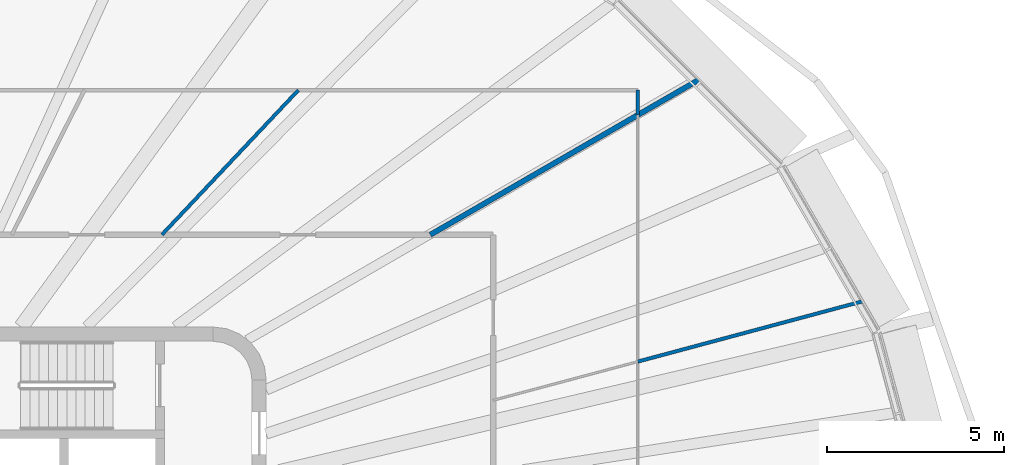
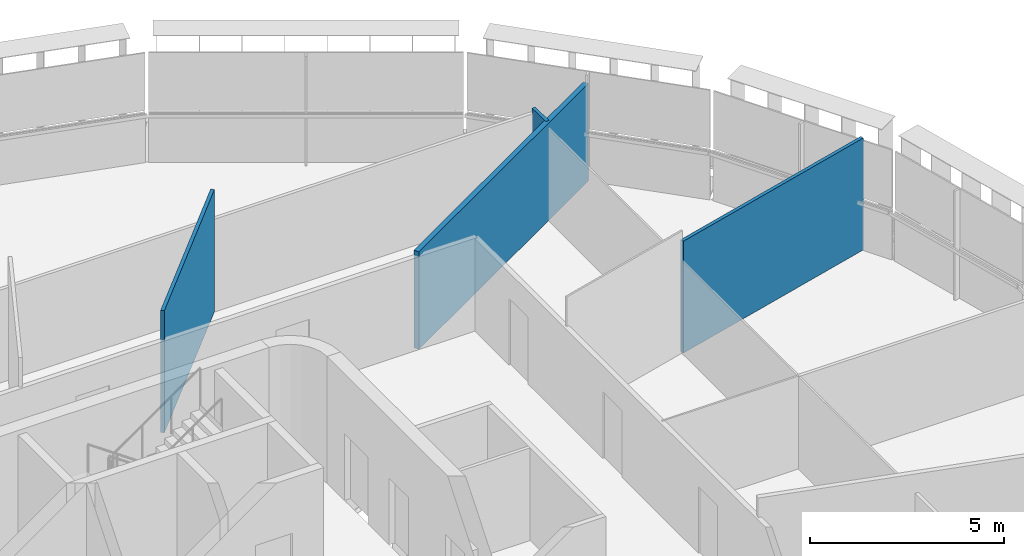
# One storey, part 13 of 20: 4 walls.
"""IFC4 building model written with IfcOpenShell, lengths in metres."""

from ifc_helpers import new_model, si_unit, direction, frame, frame_2d, origin, place, context, subcontext, project, spatial, rectangle, extrude, material, layer, layer_set, type_object, element, save


model = new_model("IFC4")

# Units and contexts
model_context = context("Model", 3, precision=1e-05, world=origin(), true_north=direction((0.0, 1.0)))
body_context = subcontext(model_context, "Body", "Model", "MODEL_VIEW")
ifc_project = project(units=[si_unit("LENGTHUNIT", "METRE"), si_unit("AREAUNIT", "SQUARE_METRE"), si_unit("VOLUMEUNIT", "CUBIC_METRE"), si_unit("PLANEANGLEUNIT", "RADIAN"), si_unit("MASSUNIT", "GRAM", prefix="KILO")], contexts=[model_context])

# Site, building, storey
site_placement = place(None, origin())
site = spatial("IfcSite", under=ifc_project, at=site_placement, CompositionType="ELEMENT")
building_placement = place(site_placement, origin())
building = spatial("IfcBuilding", under=site, at=building_placement, Name="Sahrelin Media Tower", CompositionType="ELEMENT")
storey_placement = place(building_placement, frame((0.0, 0.0, 221.60009765625)))
storey = spatial("IfcBuildingStorey", under=building, at=storey_placement, Name="L47", CompositionType="ELEMENT", Elevation=221.60009765625)

# Walls
ifc_material_1 = material(Name="Fire-rated gypsum board partition")
ifc_layer_1 = layer(ifc_material_1, 0.14990234375)
ifc_layer_set_1 = layer_set([ifc_layer_1], Name="Fire-rated partition 150")
wall_type_1 = type_object("IfcWallType", Name="Fire-rated partition 150", PredefinedType="PARTITIONING", material=ifc_layer_set_1)
wall_1_placement = place(storey_placement, frame((16.6279296875, 9.60009765625, 0.0), z_axis=(0.0, 0.0, 1.0), x_axis=(0.86607559881, 0.499913049585, 0.0)))
element("IfcWall", 1, at=wall_1_placement, inside=storey, type_object=wall_type_1, Name="Wall", PredefinedType="PARTITIONING", context=body_context, shape_type="SweptSolid", body=[
    extrude(rectangle(XDim=8.759765625, YDim=0.14990234375, at=frame_2d((4.3798828125, 0.0))), origin(), (0.0, 0.0, 1.0), 3.075927734375),
])
ifc_material_2 = material(Name="Gypsum board partition")
ifc_layer_2 = layer(ifc_material_2, 0.10009765625)
ifc_layer_set_2 = layer_set([ifc_layer_2], Name="Partition 100")
wall_type_2 = type_object("IfcWallType", Name="Partition 100", PredefinedType="PARTITIONING", material=ifc_layer_set_2)
wall_2_placement = place(storey_placement, frame((22.47998046875, 6.02294921875, 0.0), z_axis=(0.0, 0.0, 1.0), x_axis=(0.965884068963, 0.25897483531, 0.0)))
element("IfcWall", 2, at=wall_2_placement, inside=storey, type_object=wall_type_2, Name="Wall", PredefinedType="PARTITIONING", context=body_context, shape_type="SweptSolid", body=[
    extrude(rectangle(XDim=6.576416015625, YDim=0.10009765625, at=frame_2d((3.2880859375, 0.0))), origin(), (0.0, 0.0, 1.0), 3.526611328125),
])
wall_3_placement = place(storey_placement, frame((9.056884765625, 9.60009765625, 0.0), z_axis=(0.0, 0.0, 1.0), x_axis=(0.686333382584, 0.727287073961, 0.0)))
element("IfcWall", 3, at=wall_3_placement, inside=storey, type_object=wall_type_2, Name="Wall", PredefinedType="PARTITIONING", context=body_context, shape_type="SweptSolid", body=[
    extrude(rectangle(XDim=5.609619140625, YDim=0.10009765625, at=frame_2d((2.8046875, 0.0))), origin(), (0.0, 0.0, 1.0), 3.849853515625),
])
wall_4_placement = place(storey_placement, frame((22.47998046875, 12.97900390625, 0.0), z_axis=(0.0, 0.0, 1.0), x_axis=(0.0, 1.0, 0.0)))
element("IfcWall", 4, at=wall_4_placement, inside=storey, type_object=wall_type_2, Name="Wall", PredefinedType="PARTITIONING", context=body_context, shape_type="SweptSolid", body=[
    extrude(rectangle(XDim=0.700927734375, YDim=0.10009765625, at=frame_2d((0.3505859375, 0.0))), origin(), (0.0, 0.0, 1.0), 3.075927734375),
])

save(model, "model.ifc")
